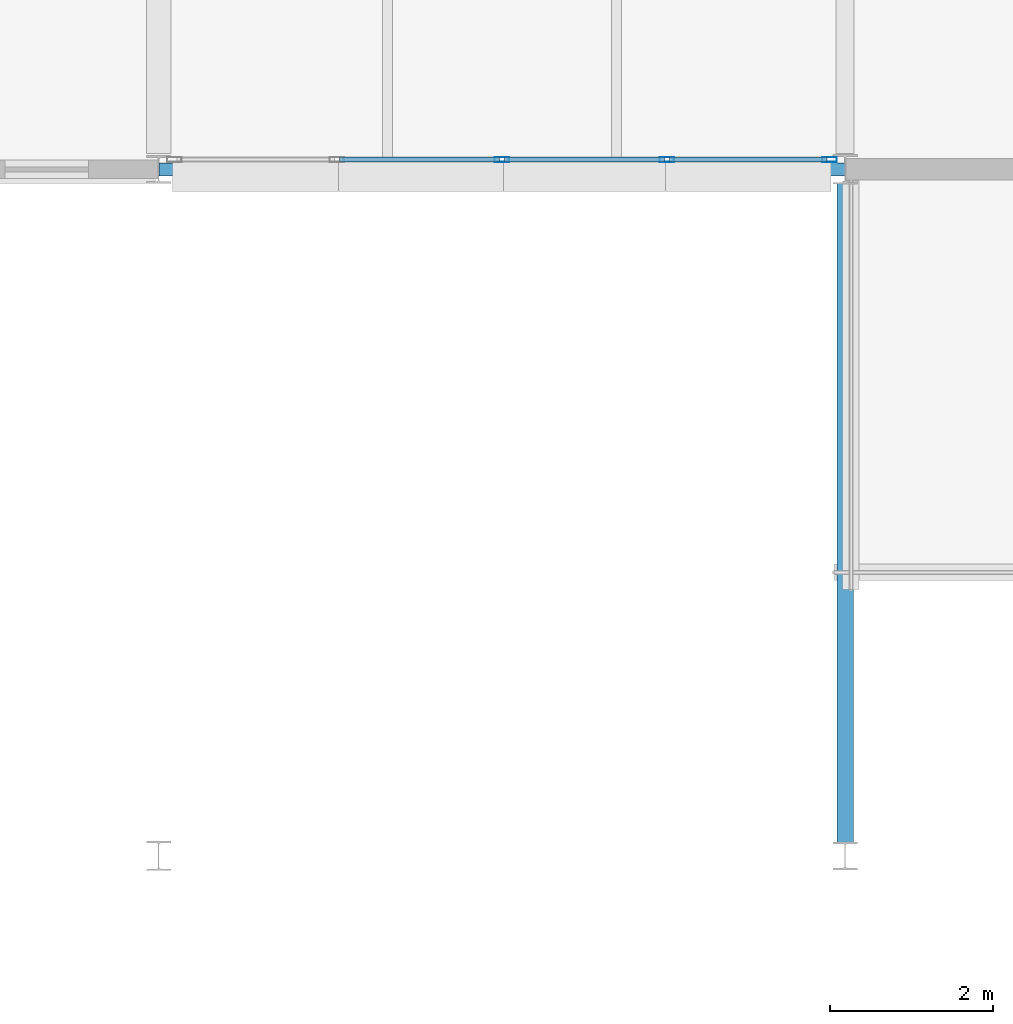
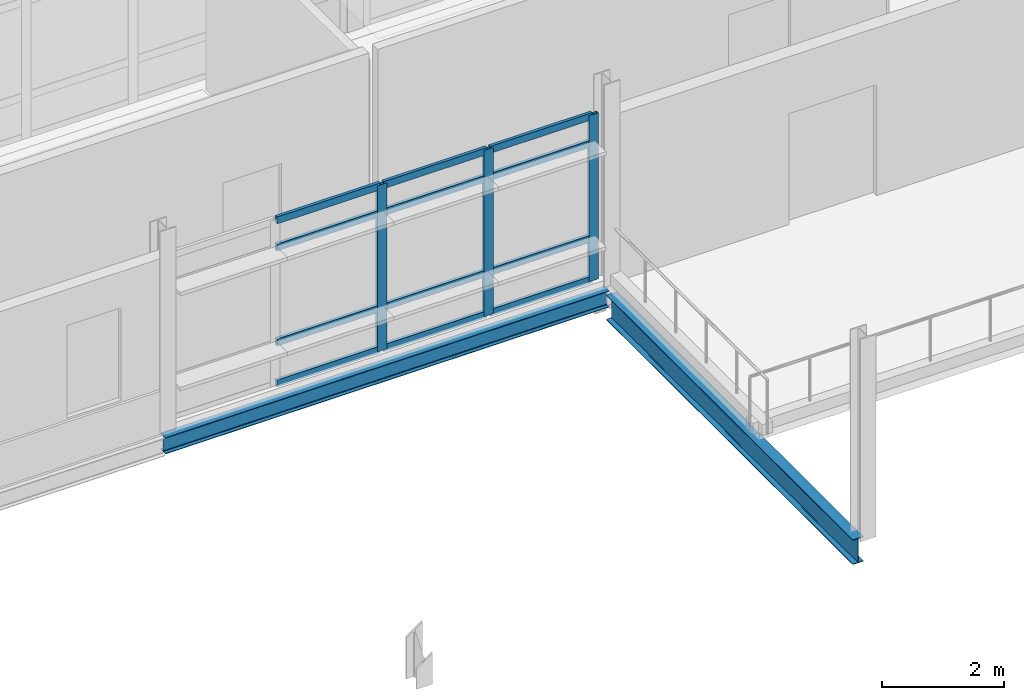
# One storey, part 26 of 57: 15 members, 2 beams, 1 element without a shape of its own.
"""IFC4 building model written with IfcOpenShell, lengths in metres."""

from ifc_helpers import new_model, si_unit, direction, frame, origin, origin_2d, place, context, subcontext, project, spatial, hollow_rectangle, i_section, extrude, material, material_profile, profile_set, type_object, element, aggregate, save


model = new_model("IFC4")

# Units and contexts
model_context = context("Model", 3, precision=1e-05, world=origin(), true_north=direction((0.0, 1.0)))
body_context = subcontext(model_context, "Body", "Model", "MODEL_VIEW")
ifc_project = project(units=[si_unit("LENGTHUNIT", "METRE"), si_unit("AREAUNIT", "SQUARE_METRE"), si_unit("VOLUMEUNIT", "CUBIC_METRE"), si_unit("PLANEANGLEUNIT", "RADIAN"), si_unit("MASSUNIT", "GRAM", prefix="KILO")], contexts=[model_context])

# Site, building, storey
site_placement = place(None, origin())
site = spatial("IfcSite", under=ifc_project, at=site_placement, CompositionType="ELEMENT")
building_placement = place(site_placement, origin())
building = spatial("IfcBuilding", under=site, at=building_placement, Name="Mersafa Astral City Hall", CompositionType="ELEMENT")
storey_placement = place(building_placement, frame((0.0, 0.0, 26.10009765625)))
storey = spatial("IfcBuildingStorey", under=building, at=storey_placement, Name="L06", CompositionType="ELEMENT", Elevation=26.10009765625)

# Curtain wall, members
ifc_material_1 = material(Name="Anodised bronze aluminium framing", Category="aluminium")
curtain_wall_type = type_object("IfcCurtainWallType", Name="ENV-CW-4", PredefinedType="USERDEFINED", material=ifc_material_1)
curtain_wall_placement = place(storey_placement, origin())
curtain_wall = element("IfcCurtainWall", 1, at=curtain_wall_placement, inside=storey, type_object=curtain_wall_type, Name="L06 Unitised solar curtain wall 267", ObjectType="UNITISED CURTAIN WALL", PredefinedType="USERDEFINED")
ifc_material_profile_1 = material_profile(ifc_material_1, hollow_rectangle(XDim=0.06005859375, YDim=0.179931640625, WallThickness=0.00390625, at=origin_2d()), Name="RHS 60x180x4")
ifc_profile_set_1 = profile_set([ifc_material_profile_1], Name="Anodised bronze aluminium framing")
member_type_1 = type_object("IfcMemberType", Name="ENV-CW-MUL-1", PredefinedType="MULLION", material=ifc_profile_set_1)
member_1_placement = place(storey_placement, frame((113.39990234375, 117.719970703125, -0.002197265625), z_axis=(0.0, 0.0, 1.0), x_axis=(0.0, 1.0, 0.0)))
member_1 = element("IfcMember", 2, at=member_1_placement, type_object=member_type_1, Name="CW-4 mullion 3", PredefinedType="MULLION", context=body_context, shape_type="SweptSolid", body=[
    extrude(hollow_rectangle(XDim=0.06005859375, YDim=0.179931640625, WallThickness=0.00390625, at=origin_2d()), origin(), (0.0, 0.0, 1.0), 3.32421875),
])
member_2_placement = place(storey_placement, frame((115.4189453125, 117.719970703125, -0.002197265625), z_axis=(0.0, 0.0, 1.0), x_axis=(0.0, 1.0, 0.0)))
member_2 = element("IfcMember", 3, at=member_2_placement, type_object=member_type_1, Name="CW-4 mullion 4", PredefinedType="MULLION", context=body_context, shape_type="SweptSolid", body=[
    extrude(hollow_rectangle(XDim=0.06005859375, YDim=0.179931640625, WallThickness=0.00390625, at=origin_2d()), origin(), (0.0, 0.0, 1.0), 3.32421875),
])
member_3_placement = place(storey_placement, frame((117.407958984375, 117.719970703125, -0.002197265625), z_axis=(0.0, 0.0, 1.0), x_axis=(0.0, 1.0, 0.0)))
member_3 = element("IfcMember", 4, at=member_3_placement, type_object=member_type_1, Name="CW-4 mullion 5", PredefinedType="MULLION", context=body_context, shape_type="SweptSolid", body=[
    extrude(hollow_rectangle(XDim=0.06005859375, YDim=0.179931640625, WallThickness=0.00390625, at=origin_2d()), origin(), (0.0, 0.0, 1.0), 3.32421875),
])
ifc_material_profile_2 = material_profile(ifc_material_1, hollow_rectangle(XDim=0.06005859375, YDim=0.139892578125, WallThickness=0.00390625, at=origin_2d()), Name="RHS 60x140x4")
ifc_profile_set_2 = profile_set([ifc_material_profile_2], Name="Anodised bronze aluminium framing")
member_type_2 = type_object("IfcMemberType", Name="ENV-CW-TRN-1", PredefinedType="USERDEFINED", material=ifc_profile_set_2)
member_4_placement = place(storey_placement, frame((111.410888671875, 117.719970703125, 0.02783203125), z_axis=(1.0, 0.0, 0.0), x_axis=(0.0, 1.0, 0.0)))
member_4 = element("IfcMember", 5, at=member_4_placement, type_object=member_type_2, Name="CW-4 transom 2.1", ObjectType="TRANSOM", PredefinedType="USERDEFINED", context=body_context, shape_type="SweptSolid", body=[
    extrude(hollow_rectangle(XDim=0.06005859375, YDim=0.139892578125, WallThickness=0.00390625, at=origin_2d()), origin(), (0.0, 0.0, 1.0), 1.959228515625),
])
member_5_placement = place(storey_placement, frame((111.410888671875, 117.719970703125, 0.849853515625), z_axis=(1.0, 0.0, 0.0), x_axis=(0.0, 1.0, 0.0)))
member_5 = element("IfcMember", 6, at=member_5_placement, type_object=member_type_2, Name="CW-4 transom 2.2", ObjectType="TRANSOM", PredefinedType="USERDEFINED", context=body_context, shape_type="SweptSolid", body=[
    extrude(hollow_rectangle(XDim=0.06005859375, YDim=0.139892578125, WallThickness=0.00390625, at=origin_2d()), origin(), (0.0, 0.0, 1.0), 1.959228515625),
])
member_6_placement = place(storey_placement, frame((111.410888671875, 117.719970703125, 2.75), z_axis=(1.0, 0.0, 0.0), x_axis=(0.0, 1.0, 0.0)))
member_6 = element("IfcMember", 7, at=member_6_placement, type_object=member_type_2, Name="CW-4 transom 2.3", ObjectType="TRANSOM", PredefinedType="USERDEFINED", context=body_context, shape_type="SweptSolid", body=[
    extrude(hollow_rectangle(XDim=0.06005859375, YDim=0.139892578125, WallThickness=0.00390625, at=origin_2d()), origin(), (0.0, 0.0, 1.0), 1.959228515625),
])
member_7_placement = place(storey_placement, frame((111.410888671875, 117.719970703125, 3.2919921875), z_axis=(1.0, 0.0, 0.0), x_axis=(0.0, 1.0, 0.0)))
member_7 = element("IfcMember", 8, at=member_7_placement, type_object=member_type_2, Name="CW-4 transom 2.4", ObjectType="TRANSOM", PredefinedType="USERDEFINED", context=body_context, shape_type="SweptSolid", body=[
    extrude(hollow_rectangle(XDim=0.06005859375, YDim=0.139892578125, WallThickness=0.00390625, at=origin_2d()), origin(), (0.0, 0.0, 1.0), 1.959228515625),
])
member_8_placement = place(storey_placement, frame((113.429931640625, 117.719970703125, 0.02783203125), z_axis=(1.0, 0.0, 0.0), x_axis=(0.0, 1.0, 0.0)))
member_8 = element("IfcMember", 9, at=member_8_placement, type_object=member_type_2, Name="CW-4 transom 3.1", ObjectType="TRANSOM", PredefinedType="USERDEFINED", context=body_context, shape_type="SweptSolid", body=[
    extrude(hollow_rectangle(XDim=0.06005859375, YDim=0.139892578125, WallThickness=0.00390625, at=origin_2d()), origin(), (0.0, 0.0, 1.0), 1.958984375),
])
member_9_placement = place(storey_placement, frame((113.429931640625, 117.719970703125, 0.849853515625), z_axis=(1.0, 0.0, 0.0), x_axis=(0.0, 1.0, 0.0)))
member_9 = element("IfcMember", 10, at=member_9_placement, type_object=member_type_2, Name="CW-4 transom 3.2", ObjectType="TRANSOM", PredefinedType="USERDEFINED", context=body_context, shape_type="SweptSolid", body=[
    extrude(hollow_rectangle(XDim=0.06005859375, YDim=0.139892578125, WallThickness=0.00390625, at=origin_2d()), origin(), (0.0, 0.0, 1.0), 1.958984375),
])
member_10_placement = place(storey_placement, frame((113.429931640625, 117.719970703125, 2.75), z_axis=(1.0, 0.0, 0.0), x_axis=(0.0, 1.0, 0.0)))
member_10 = element("IfcMember", 11, at=member_10_placement, type_object=member_type_2, Name="CW-4 transom 3.3", ObjectType="TRANSOM", PredefinedType="USERDEFINED", context=body_context, shape_type="SweptSolid", body=[
    extrude(hollow_rectangle(XDim=0.06005859375, YDim=0.139892578125, WallThickness=0.00390625, at=origin_2d()), origin(), (0.0, 0.0, 1.0), 1.958984375),
])
member_11_placement = place(storey_placement, frame((113.429931640625, 117.719970703125, 3.2919921875), z_axis=(1.0, 0.0, 0.0), x_axis=(0.0, 1.0, 0.0)))
member_11 = element("IfcMember", 12, at=member_11_placement, type_object=member_type_2, Name="CW-4 transom 3.4", ObjectType="TRANSOM", PredefinedType="USERDEFINED", context=body_context, shape_type="SweptSolid", body=[
    extrude(hollow_rectangle(XDim=0.06005859375, YDim=0.139892578125, WallThickness=0.00390625, at=origin_2d()), origin(), (0.0, 0.0, 1.0), 1.958984375),
])
member_12_placement = place(storey_placement, frame((115.448974609375, 117.719970703125, 0.02783203125), z_axis=(1.0, 0.0, 0.0), x_axis=(0.0, 1.0, 0.0)))
member_12 = element("IfcMember", 13, at=member_12_placement, type_object=member_type_2, Name="CW-4 transom 4.1", ObjectType="TRANSOM", PredefinedType="USERDEFINED", context=body_context, shape_type="SweptSolid", body=[
    extrude(hollow_rectangle(XDim=0.06005859375, YDim=0.139892578125, WallThickness=0.00390625, at=origin_2d()), origin(), (0.0, 0.0, 1.0), 1.928955078125),
])
member_13_placement = place(storey_placement, frame((115.448974609375, 117.719970703125, 0.849853515625), z_axis=(1.0, 0.0, 0.0), x_axis=(0.0, 1.0, 0.0)))
member_13 = element("IfcMember", 14, at=member_13_placement, type_object=member_type_2, Name="CW-4 transom 4.2", ObjectType="TRANSOM", PredefinedType="USERDEFINED", context=body_context, shape_type="SweptSolid", body=[
    extrude(hollow_rectangle(XDim=0.06005859375, YDim=0.139892578125, WallThickness=0.00390625, at=origin_2d()), origin(), (0.0, 0.0, 1.0), 1.928955078125),
])
member_14_placement = place(storey_placement, frame((115.448974609375, 117.719970703125, 2.75), z_axis=(1.0, 0.0, 0.0), x_axis=(0.0, 1.0, 0.0)))
member_14 = element("IfcMember", 15, at=member_14_placement, type_object=member_type_2, Name="CW-4 transom 4.3", ObjectType="TRANSOM", PredefinedType="USERDEFINED", context=body_context, shape_type="SweptSolid", body=[
    extrude(hollow_rectangle(XDim=0.06005859375, YDim=0.139892578125, WallThickness=0.00390625, at=origin_2d()), origin(), (0.0, 0.0, 1.0), 1.928955078125),
])
member_15_placement = place(storey_placement, frame((115.448974609375, 117.719970703125, 3.2919921875), z_axis=(1.0, 0.0, 0.0), x_axis=(0.0, 1.0, 0.0)))
member_15 = element("IfcMember", 16, at=member_15_placement, type_object=member_type_2, Name="CW-4 transom 4.4", ObjectType="TRANSOM", PredefinedType="USERDEFINED", context=body_context, shape_type="SweptSolid", body=[
    extrude(hollow_rectangle(XDim=0.06005859375, YDim=0.139892578125, WallThickness=0.00390625, at=origin_2d()), origin(), (0.0, 0.0, 1.0), 1.928955078125),
])
aggregate(curtain_wall, [member_1, member_2, member_3, member_4, member_5, member_6, member_7, member_8, member_9, member_10, member_11, member_12, member_13, member_14, member_15])

# Beams
ifc_material_2 = material(Name="Steel S355", Category="steel")
ifc_material_profile_3 = material_profile(ifc_material_2, i_section(OverallWidth=0.159912109375, OverallDepth=0.330078125, WebThickness=0.007568359375, FlangeThickness=0.011474609375, FilletRadius=0.01806640625, at=origin_2d()), Name="IPE 330")
ifc_profile_set_3 = profile_set([ifc_material_profile_3], Name="Steel S355")
beam_type_1 = type_object("IfcBeamType", Name="STR-BM-SPANDREL-IPE330", PredefinedType="SPANDREL", material=ifc_profile_set_3)
beam_1_placement = place(storey_placement, frame((109.202880859375, 117.60009765625, -0.340087890625), z_axis=(1.0, 0.0, 0.0), x_axis=(0.0, 1.0, 0.0)))
element("IfcBeam", 17, at=beam_1_placement, inside=storey, type_object=beam_type_1, Name="L06 Primary girder X 13-14", PredefinedType="SPANDREL", context=body_context, shape_type="SweptSolid", body=[
    extrude(i_section(OverallWidth=0.159912109375, OverallDepth=0.330078125, WebThickness=0.007568359375, FlangeThickness=0.011474609375, FilletRadius=0.01806640625, at=origin_2d()), origin(), (0.0, 0.0, 1.0), 8.39404296875),
])
ifc_material_profile_4 = material_profile(ifc_material_2, i_section(OverallWidth=0.199951171875, OverallDepth=0.5, WebThickness=0.01025390625, FlangeThickness=0.01611328125, FilletRadius=0.02099609375, at=origin_2d()), Name="IPE 500")
ifc_profile_set_4 = profile_set([ifc_material_profile_4], Name="Steel S355")
beam_type_2 = type_object("IfcBeamType", Name="STR-BM-TER-IPE500", PredefinedType="BEAM", material=ifc_profile_set_4)
beam_2_placement = place(storey_placement, frame((117.60009765625, 109.360107421875, -0.425048828125), z_axis=(0.0, 1.0, 0.0), x_axis=(-1.0, 0.0, 0.0)))
element("IfcBeam", 18, at=beam_2_placement, inside=storey, type_object=beam_type_2, Name="L06 Terrace support girder 1", PredefinedType="BEAM", context=body_context, shape_type="SweptSolid", body=[
    extrude(i_section(OverallWidth=0.199951171875, OverallDepth=0.5, WebThickness=0.01025390625, FlangeThickness=0.01611328125, FilletRadius=0.02099609375, at=origin_2d()), origin(), (0.0, 0.0, 1.0), 8.079833984375),
])

save(model, "model.ifc")
